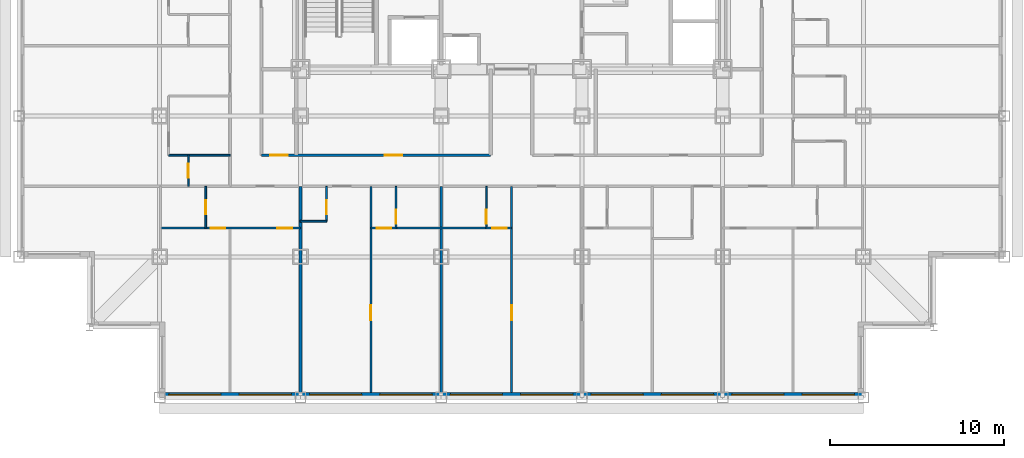
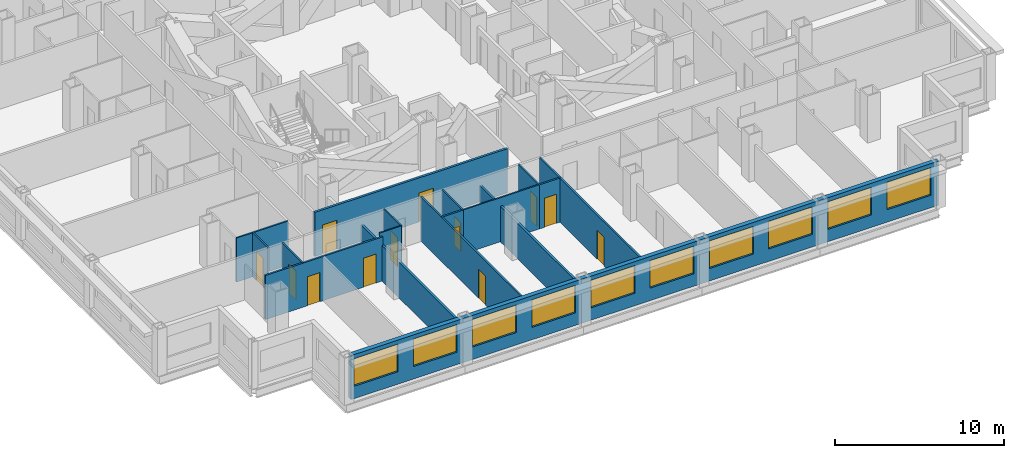
# One storey, part 4 of 13: 17 walls, 13 doors, 10 windows, 23 openings.
"""IFC4 building model written with IfcOpenShell, lengths in metres."""

from ifc_helpers import new_model, si_unit, direction, frame, frame_2d, origin, place, context, subcontext, project, spatial, rectangle, extrude, material, layer, layer_set, type_object, element, fill, save


model = new_model("IFC4")

# Units and contexts
model_context = context("Model", 3, precision=1e-05, world=origin(), true_north=direction((0.0, 1.0)))
body_context = subcontext(model_context, "Body", "Model", "MODEL_VIEW")
ifc_project = project(units=[si_unit("LENGTHUNIT", "METRE"), si_unit("AREAUNIT", "SQUARE_METRE"), si_unit("VOLUMEUNIT", "CUBIC_METRE"), si_unit("PLANEANGLEUNIT", "RADIAN"), si_unit("MASSUNIT", "GRAM", prefix="KILO")], contexts=[model_context])

# Site, building, storey
site_placement = place(None, origin())
site = spatial("IfcSite", under=ifc_project, at=site_placement, CompositionType="ELEMENT")
building_placement = place(site_placement, origin())
building = spatial("IfcBuilding", under=site, at=building_placement, Name="Kopane Lantern Tower", CompositionType="ELEMENT")
storey_placement = place(building_placement, frame((0.0, 0.0, 113.60009765625)))
storey = spatial("IfcBuildingStorey", under=building, at=storey_placement, Name="L28", CompositionType="ELEMENT", Elevation=113.60009765625)

# Wall, opening, door
ifc_material_1 = material(Name="Gypsum board on steel studs", Category="steel")
ifc_layer_1 = layer(ifc_material_1, 0.1201171875)
ifc_layer_set_1 = layer_set([ifc_layer_1], Name="APARTMENT INTERNAL WALL 120")
wall_type_1 = type_object("IfcWallType", Name="APARTMENT INTERNAL WALL 120", PredefinedType="PARTITIONING", material=ifc_layer_set_1)
wall_1_placement = place(storey_placement, frame((20.25, 17.550048828125, 0.0), z_axis=(0.0, 0.0, 1.0), x_axis=(0.0, -1.0, 0.0)))
wall_1 = element("IfcWall", 1, at=wall_1_placement, inside=storey, type_object=wall_type_1, Name="Apartment Internal Wall 120 L28", PredefinedType="PARTITIONING", context=body_context, shape_type="SweptSolid", body=[
    extrude(rectangle(XDim=11.85009765625, YDim=0.1201171875, at=frame_2d((5.925048828125, 0.0))), origin(), (0.0, 0.0, 1.0), 3.18994140625),
])
opening_1_placement = place(wall_1_placement, frame((6.85009765625, 0.0, 0.0)))
opening_1 = element("IfcOpeningElement", 2, at=opening_1_placement, cuts=wall_1, Name="Opening L28-016", PredefinedType="OPENING", context=body_context, shape_type="SweptSolid", body=[
    extrude(rectangle(XDim=0.85009765625, YDim=2.10009765625, at=frame_2d((0.425048828125, 1.050048828125))), frame((0.0, 0.070068359375, 0.0), z_axis=(0.0, -1.0, 0.0), x_axis=(1.0, 0.0, 0.0)), (0.0, 0.0, 1.0), 0.14013671875),
])
ifc_material_2 = material(Name="Timber door set", Category="wood")
door_type_1 = type_object("IfcDoorType", Name="DOOR D4 850x2100", OperationType="SINGLE_SWING_LEFT", PredefinedType="DOOR", material=ifc_material_2)
door_1_placement = place(opening_1_placement, origin())
door_1 = element("IfcDoor", 3, at=door_1_placement, inside=storey, type_object=door_type_1, Name="Door L28-016", OperationType="SINGLE_SWING_LEFT", OverallHeight=2.10009765625, OverallWidth=0.85009765625, PredefinedType="DOOR", context=body_context, shape_type="SweptSolid", body=[
    extrude(rectangle(XDim=0.85009765625, YDim=2.10009765625, at=frame_2d((0.425048828125, 1.050048828125))), frame((0.0, 0.02490234375, 0.0), z_axis=(0.0, -1.0, 0.0), x_axis=(1.0, 0.0, 0.0)), (0.0, 0.0, 1.0), 0.050048828125),
])
fill(opening_1, door_1)

wall_2_placement = place(storey_placement, frame((28.35009765625, 17.550048828125, 0.0), z_axis=(0.0, 0.0, 1.0), x_axis=(0.0, -1.0, 0.0)))
wall_2 = element("IfcWall", 4, at=wall_2_placement, inside=storey, type_object=wall_type_1, Name="Apartment Internal Wall 120 L28", PredefinedType="PARTITIONING", context=body_context, shape_type="SweptSolid", body=[
    extrude(rectangle(XDim=11.85009765625, YDim=0.1201171875, at=frame_2d((5.925048828125, 0.0))), origin(), (0.0, 0.0, 1.0), 3.18994140625),
])
opening_2_placement = place(wall_2_placement, frame((6.85009765625, 0.0, 0.0)))
opening_2 = element("IfcOpeningElement", 5, at=opening_2_placement, cuts=wall_2, Name="Opening L28-019", PredefinedType="OPENING", context=body_context, shape_type="SweptSolid", body=[
    extrude(rectangle(XDim=0.85009765625, YDim=2.10009765625, at=frame_2d((0.425048828125, 1.050048828125))), frame((0.0, 0.070068359375, 0.0), z_axis=(0.0, -1.0, 0.0), x_axis=(1.0, 0.0, 0.0)), (0.0, 0.0, 1.0), 0.14013671875),
])
door_2_placement = place(opening_2_placement, origin())
door_2 = element("IfcDoor", 6, at=door_2_placement, inside=storey, type_object=door_type_1, Name="Door L28-019", OperationType="SINGLE_SWING_RIGHT", OverallHeight=2.10009765625, OverallWidth=0.85009765625, PredefinedType="DOOR", context=body_context, shape_type="SweptSolid", body=[
    extrude(rectangle(XDim=0.85009765625, YDim=2.10009765625, at=frame_2d((0.425048828125, 1.050048828125))), frame((0.0, 0.02490234375, 0.0), z_axis=(0.0, -1.0, 0.0), x_axis=(1.0, 0.0, 0.0)), (0.0, 0.0, 1.0), 0.050048828125),
])
fill(opening_2, door_2)

# Wall, openings, doors
wall_3_placement = place(storey_placement, frame((8.14990234375, 15.14990234375, 0.0), z_axis=(0.0, 0.0, 1.0), x_axis=(1.0, 0.0, 0.0)))
wall_3 = element("IfcWall", 7, at=wall_3_placement, inside=storey, type_object=wall_type_1, Name="Apartment Internal Wall 120 L28", PredefinedType="PARTITIONING", context=body_context, shape_type="SweptSolid", body=[
    extrude(rectangle(XDim=8.050048828125, YDim=0.1201171875, at=frame_2d((4.02490234375, 0.0))), origin(), (0.0, 0.0, 1.0), 3.18994140625),
])
opening_3_placement = place(wall_3_placement, frame((6.72509765625, 0.0, 0.0)))
opening_3 = element("IfcOpeningElement", 8, at=opening_3_placement, cuts=wall_3, Name="Opening L28-060", PredefinedType="OPENING", context=body_context, shape_type="SweptSolid", body=[
    extrude(rectangle(XDim=0.85009765625, YDim=2.10009765625, at=frame_2d((0.425048828125, 1.050048828125))), frame((0.0, 0.070068359375, 0.0), z_axis=(0.0, -1.0, 0.0), x_axis=(1.0, 0.0, 0.0)), (0.0, 0.0, 1.0), 0.14013671875),
])
opening_4_placement = place(wall_3_placement, frame((2.875, 0.0, 0.0)))
opening_4 = element("IfcOpeningElement", 9, at=opening_4_placement, cuts=wall_3, Name="Opening L28-062", PredefinedType="OPENING", context=body_context, shape_type="SweptSolid", body=[
    extrude(rectangle(XDim=0.85009765625, YDim=2.10009765625, at=frame_2d((0.425048828125, 1.050048828125))), frame((0.0, 0.070068359375, 0.0), z_axis=(0.0, -1.0, 0.0), x_axis=(1.0, 0.0, 0.0)), (0.0, 0.0, 1.0), 0.14013671875),
])
door_3_placement = place(opening_3_placement, origin())
door_3 = element("IfcDoor", 10, at=door_3_placement, inside=storey, type_object=door_type_1, Name="Door L28-060", OperationType="SINGLE_SWING_RIGHT", OverallHeight=2.10009765625, OverallWidth=0.85009765625, PredefinedType="DOOR", context=body_context, shape_type="SweptSolid", body=[
    extrude(rectangle(XDim=0.85009765625, YDim=2.10009765625, at=frame_2d((0.425048828125, 1.050048828125))), frame((0.0, 0.02490234375, 0.0), z_axis=(0.0, -1.0, 0.0), x_axis=(1.0, 0.0, 0.0)), (0.0, 0.0, 1.0), 0.050048828125),
])
fill(opening_3, door_3)
door_4_placement = place(opening_4_placement, origin())
door_4 = element("IfcDoor", 11, at=door_4_placement, inside=storey, type_object=door_type_1, Name="Door L28-062", OperationType="SINGLE_SWING_LEFT", OverallHeight=2.10009765625, OverallWidth=0.85009765625, PredefinedType="DOOR", context=body_context, shape_type="SweptSolid", body=[
    extrude(rectangle(XDim=0.85009765625, YDim=2.10009765625, at=frame_2d((0.425048828125, 1.050048828125))), frame((0.0, 0.02490234375, 0.0), z_axis=(0.0, -1.0, 0.0), x_axis=(1.0, 0.0, 0.0)), (0.0, 0.0, 1.0), 0.050048828125),
])
fill(opening_4, door_4)

# Wall, opening, door
wall_4_placement = place(storey_placement, frame((21.7099609375, 15.14990234375, 0.0), z_axis=(0.0, 0.0, 1.0), x_axis=(-1.0, 0.0, 0.0)))
wall_4 = element("IfcWall", 12, at=wall_4_placement, inside=storey, type_object=wall_type_1, Name="Apartment Internal Wall 120 L28", PredefinedType="PARTITIONING", context=body_context, shape_type="SweptSolid", body=[
    extrude(rectangle(XDim=1.4599609375, YDim=0.1201171875, at=frame_2d((0.72998046875, 0.0))), origin(), (0.0, 0.0, 1.0), 3.18994140625),
])
opening_5_placement = place(wall_4_placement, frame((0.27490234375, 0.0, 0.0)))
opening_5 = element("IfcOpeningElement", 13, at=opening_5_placement, cuts=wall_4, Name="Opening L28-075", PredefinedType="OPENING", context=body_context, shape_type="SweptSolid", body=[
    extrude(rectangle(XDim=0.85009765625, YDim=2.10009765625, at=frame_2d((0.425048828125, 1.050048828125))), frame((0.0, 0.070068359375, 0.0), z_axis=(0.0, -1.0, 0.0), x_axis=(1.0, 0.0, 0.0)), (0.0, 0.0, 1.0), 0.14013671875),
])
door_5_placement = place(opening_5_placement, origin())
door_5 = element("IfcDoor", 14, at=door_5_placement, inside=storey, type_object=door_type_1, Name="Door L28-075", OperationType="SINGLE_SWING_RIGHT", OverallHeight=2.10009765625, OverallWidth=0.85009765625, PredefinedType="DOOR", context=body_context, shape_type="SweptSolid", body=[
    extrude(rectangle(XDim=0.85009765625, YDim=2.10009765625, at=frame_2d((0.425048828125, 1.050048828125))), frame((0.0, 0.02490234375, 0.0), z_axis=(0.0, -1.0, 0.0), x_axis=(1.0, 0.0, 0.0)), (0.0, 0.0, 1.0), 0.050048828125),
])
fill(opening_5, door_5)

wall_5_placement = place(storey_placement, frame((28.35009765625, 15.14990234375, 0.0), z_axis=(0.0, 0.0, 1.0), x_axis=(-1.0, 0.0, 0.0)))
wall_5 = element("IfcWall", 15, at=wall_5_placement, inside=storey, type_object=wall_type_1, Name="Apartment Internal Wall 120 L28", PredefinedType="PARTITIONING", context=body_context, shape_type="SweptSolid", body=[
    extrude(rectangle(XDim=1.460205078125, YDim=0.1201171875, at=frame_2d((0.72998046875, 0.0))), origin(), (0.0, 0.0, 1.0), 3.18994140625),
])
opening_6_placement = place(wall_5_placement, frame((0.27490234375, 0.0, 0.0)))
opening_6 = element("IfcOpeningElement", 16, at=opening_6_placement, cuts=wall_5, Name="Opening L28-076", PredefinedType="OPENING", context=body_context, shape_type="SweptSolid", body=[
    extrude(rectangle(XDim=0.85009765625, YDim=2.10009765625, at=frame_2d((0.425048828125, 1.050048828125))), frame((0.0, 0.070068359375, 0.0), z_axis=(0.0, -1.0, 0.0), x_axis=(1.0, 0.0, 0.0)), (0.0, 0.0, 1.0), 0.14013671875),
])
door_6_placement = place(opening_6_placement, origin())
door_6 = element("IfcDoor", 17, at=door_6_placement, inside=storey, type_object=door_type_1, Name="Door L28-076", OperationType="SINGLE_SWING_LEFT", OverallHeight=2.10009765625, OverallWidth=0.85009765625, PredefinedType="DOOR", context=body_context, shape_type="SweptSolid", body=[
    extrude(rectangle(XDim=0.85009765625, YDim=2.10009765625, at=frame_2d((0.425048828125, 1.050048828125))), frame((0.0, 0.02490234375, 0.0), z_axis=(0.0, -1.0, 0.0), x_axis=(1.0, 0.0, 0.0)), (0.0, 0.0, 1.0), 0.050048828125),
])
fill(opening_6, door_6)

# Wall
ifc_material_3 = material(Name="Moisture-resistant board on steel studs", Category="steel")
ifc_layer_2 = layer(ifc_material_3, 0.10009765625)
ifc_layer_set_2 = layer_set([ifc_layer_2], Name="BATHROOM WALL 100")
wall_type_2 = type_object("IfcWallType", Name="BATHROOM WALL 100", PredefinedType="PARTITIONING", material=ifc_layer_set_2)
wall_6_placement = place(storey_placement, frame((16.199951171875, 15.550048828125, 0.0), z_axis=(0.0, 0.0, 1.0), x_axis=(1.0, 0.0, 0.0)))
element("IfcWall", 18, at=wall_6_placement, inside=storey, type_object=wall_type_2, Name="Bathroom Wall 100 L28", PredefinedType="PARTITIONING", context=body_context, shape_type="SweptSolid", body=[
    extrude(rectangle(XDim=1.5, YDim=0.10009765625, at=frame_2d((0.75, 0.0))), origin(), (0.0, 0.0, 1.0), 3.18994140625),
])

# Wall, opening, door
wall_7_placement = place(storey_placement, frame((17.699951171875, 17.550048828125, 0.0), z_axis=(0.0, 0.0, 1.0), x_axis=(0.0, -1.0, 0.0)))
wall_7 = element("IfcWall", 19, at=wall_7_placement, inside=storey, type_object=wall_type_2, Name="Bathroom Wall 100 L28", PredefinedType="PARTITIONING", context=body_context, shape_type="SweptSolid", body=[
    extrude(rectangle(XDim=2.0, YDim=0.10009765625, at=frame_2d((1.0, 0.0))), origin(), (0.0, 0.0, 1.0), 3.18994140625),
])
opening_7_placement = place(wall_7_placement, frame((0.800048828125, 0.0, 0.0)))
opening_7 = element("IfcOpeningElement", 20, at=opening_7_placement, cuts=wall_7, Name="Opening L28-013", PredefinedType="OPENING", context=body_context, shape_type="SweptSolid", body=[
    extrude(rectangle(XDim=0.800048828125, YDim=2.10009765625, at=frame_2d((0.39990234375, 1.050048828125))), frame((0.0, 0.06005859375, 0.0), z_axis=(0.0, -1.0, 0.0), x_axis=(1.0, 0.0, 0.0)), (0.0, 0.0, 1.0), 0.1201171875),
])
ifc_material_4 = material(Name="Timber door set", Category="wood")
door_type_2 = type_object("IfcDoorType", Name="DOOR D2 800x2100", OperationType="SINGLE_SWING_LEFT", PredefinedType="DOOR", material=ifc_material_4)
door_7_placement = place(opening_7_placement, origin())
door_7 = element("IfcDoor", 21, at=door_7_placement, inside=storey, type_object=door_type_2, Name="Door L28-013", OperationType="SINGLE_SWING_LEFT", OverallHeight=2.10009765625, OverallWidth=0.800048828125, PredefinedType="DOOR", context=body_context, shape_type="SweptSolid", body=[
    extrude(rectangle(XDim=0.800048828125, YDim=2.10009765625, at=frame_2d((0.39990234375, 1.050048828125))), frame((0.0, 0.02490234375, 0.0), z_axis=(0.0, -1.0, 0.0), x_axis=(1.0, 0.0, 0.0)), (0.0, 0.0, 1.0), 0.050048828125),
])
fill(opening_7, door_7)

# Wall
wall_8_placement = place(storey_placement, frame((21.699951171875, 15.14990234375, 0.0), z_axis=(0.0, 0.0, 1.0), x_axis=(1.0, 0.0, 0.0)))
element("IfcWall", 22, at=wall_8_placement, inside=storey, type_object=wall_type_2, Name="Bathroom Wall 100 L28", PredefinedType="PARTITIONING", context=body_context, shape_type="SweptSolid", body=[
    extrude(rectangle(XDim=5.199951171875, YDim=0.10009765625, at=frame_2d((2.60009765625, 0.0))), origin(), (0.0, 0.0, 1.0), 3.18994140625),
])

# Wall, opening, door
wall_9_placement = place(storey_placement, frame((21.699951171875, 17.550048828125, 0.0), z_axis=(0.0, 0.0, 1.0), x_axis=(0.0, -1.0, 0.0)))
wall_9 = element("IfcWall", 23, at=wall_9_placement, inside=storey, type_object=wall_type_2, Name="Bathroom Wall 100 L28", PredefinedType="PARTITIONING", context=body_context, shape_type="SweptSolid", body=[
    extrude(rectangle(XDim=2.400146484375, YDim=0.10009765625, at=frame_2d((1.2001953125, 0.0))), origin(), (0.0, 0.0, 1.0), 3.18994140625),
])
opening_8_placement = place(wall_9_placement, frame((1.35009765625, 0.0, 0.0)))
opening_8 = element("IfcOpeningElement", 24, at=opening_8_placement, cuts=wall_9, Name="Opening L28-015", PredefinedType="OPENING", context=body_context, shape_type="SweptSolid", body=[
    extrude(rectangle(XDim=0.800048828125, YDim=2.10009765625, at=frame_2d((0.39990234375, 1.050048828125))), frame((0.0, 0.06005859375, 0.0), z_axis=(0.0, -1.0, 0.0), x_axis=(1.0, 0.0, 0.0)), (0.0, 0.0, 1.0), 0.1201171875),
])
door_8_placement = place(opening_8_placement, origin())
door_8 = element("IfcDoor", 25, at=door_8_placement, inside=storey, type_object=door_type_2, Name="Door L28-015", OperationType="SINGLE_SWING_LEFT", OverallHeight=2.10009765625, OverallWidth=0.800048828125, PredefinedType="DOOR", context=body_context, shape_type="SweptSolid", body=[
    extrude(rectangle(XDim=0.800048828125, YDim=2.10009765625, at=frame_2d((0.39990234375, 1.050048828125))), frame((0.0, 0.02490234375, 0.0), z_axis=(0.0, -1.0, 0.0), x_axis=(1.0, 0.0, 0.0)), (0.0, 0.0, 1.0), 0.050048828125),
])
fill(opening_8, door_8)

wall_10_placement = place(storey_placement, frame((26.89990234375, 17.550048828125, 0.0), z_axis=(0.0, 0.0, 1.0), x_axis=(0.0, -1.0, 0.0)))
wall_10 = element("IfcWall", 26, at=wall_10_placement, inside=storey, type_object=wall_type_2, Name="Bathroom Wall 100 L28", PredefinedType="PARTITIONING", context=body_context, shape_type="SweptSolid", body=[
    extrude(rectangle(XDim=2.400146484375, YDim=0.10009765625, at=frame_2d((1.2001953125, 0.0))), origin(), (0.0, 0.0, 1.0), 3.18994140625),
])
opening_9_placement = place(wall_10_placement, frame((1.35009765625, 0.0, 0.0)))
opening_9 = element("IfcOpeningElement", 27, at=opening_9_placement, cuts=wall_10, Name="Opening L28-018", PredefinedType="OPENING", context=body_context, shape_type="SweptSolid", body=[
    extrude(rectangle(XDim=0.800048828125, YDim=2.10009765625, at=frame_2d((0.39990234375, 1.050048828125))), frame((0.0, 0.06005859375, 0.0), z_axis=(0.0, -1.0, 0.0), x_axis=(1.0, 0.0, 0.0)), (0.0, 0.0, 1.0), 0.1201171875),
])
door_9_placement = place(opening_9_placement, origin())
door_9 = element("IfcDoor", 28, at=door_9_placement, inside=storey, type_object=door_type_2, Name="Door L28-018", OperationType="SINGLE_SWING_RIGHT", OverallHeight=2.10009765625, OverallWidth=0.800048828125, PredefinedType="DOOR", context=body_context, shape_type="SweptSolid", body=[
    extrude(rectangle(XDim=0.800048828125, YDim=2.10009765625, at=frame_2d((0.39990234375, 1.050048828125))), frame((0.0, 0.02490234375, 0.0), z_axis=(0.0, -1.0, 0.0), x_axis=(1.0, 0.0, 0.0)), (0.0, 0.0, 1.0), 0.050048828125),
])
fill(opening_9, door_9)

wall_11_placement = place(storey_placement, frame((9.75, 17.550048828125, 0.0), z_axis=(0.0, 0.0, 1.0), x_axis=(0.0, 1.0, 0.0)))
wall_11 = element("IfcWall", 29, at=wall_11_placement, inside=storey, type_object=wall_type_2, Name="Bathroom Wall 100 L28", PredefinedType="PARTITIONING", context=body_context, shape_type="SweptSolid", body=[
    extrude(rectangle(XDim=1.800048828125, YDim=0.10009765625, at=frame_2d((0.89990234375, 0.0))), origin(), (0.0, 0.0, 1.0), 3.18994140625),
])
opening_10_placement = place(wall_11_placement, frame((0.5, 0.0, 0.0)))
opening_10 = element("IfcOpeningElement", 30, at=opening_10_placement, cuts=wall_11, Name="Opening L28-036", PredefinedType="OPENING", context=body_context, shape_type="SweptSolid", body=[
    extrude(rectangle(XDim=0.800048828125, YDim=2.10009765625, at=frame_2d((0.39990234375, 1.050048828125))), frame((0.0, 0.06005859375, 0.0), z_axis=(0.0, -1.0, 0.0), x_axis=(1.0, 0.0, 0.0)), (0.0, 0.0, 1.0), 0.1201171875),
])
door_10_placement = place(opening_10_placement, origin())
door_10 = element("IfcDoor", 31, at=door_10_placement, inside=storey, type_object=door_type_2, Name="Door L28-036", OperationType="SINGLE_SWING_RIGHT", OverallHeight=2.10009765625, OverallWidth=0.800048828125, PredefinedType="DOOR", context=body_context, shape_type="SweptSolid", body=[
    extrude(rectangle(XDim=0.800048828125, YDim=2.10009765625, at=frame_2d((0.39990234375, 1.050048828125))), frame((0.0, 0.02490234375, 0.0), z_axis=(0.0, -1.0, 0.0), x_axis=(1.0, 0.0, 0.0)), (0.0, 0.0, 1.0), 0.050048828125),
])
fill(opening_10, door_10)

# Wall
wall_12_placement = place(storey_placement, frame((12.14990234375, 19.35009765625, 0.0), z_axis=(0.0, 0.0, 1.0), x_axis=(-1.0, 0.0, 0.0)))
element("IfcWall", 32, at=wall_12_placement, inside=storey, type_object=wall_type_2, Name="Bathroom Wall 100 L28", PredefinedType="PARTITIONING", context=body_context, shape_type="SweptSolid", body=[
    extrude(rectangle(XDim=3.539794921875, YDim=0.10009765625, at=frame_2d((1.77001953125, 0.0))), origin(), (0.0, 0.0, 1.0), 3.18994140625),
])

# Wall, opening, door
wall_13_placement = place(storey_placement, frame((10.75, 17.550048828125, 0.0), z_axis=(0.0, 0.0, 1.0), x_axis=(0.0, -1.0, 0.0)))
wall_13 = element("IfcWall", 33, at=wall_13_placement, inside=storey, type_object=wall_type_2, Name="Bathroom Wall 100 L28", PredefinedType="PARTITIONING", context=body_context, shape_type="SweptSolid", body=[
    extrude(rectangle(XDim=2.400146484375, YDim=0.10009765625, at=frame_2d((1.2001953125, 0.0))), origin(), (0.0, 0.0, 1.0), 3.18994140625),
])
opening_11_placement = place(wall_13_placement, frame((0.800048828125, 0.0, 0.0)))
opening_11 = element("IfcOpeningElement", 34, at=opening_11_placement, cuts=wall_13, Name="Opening L28-061", PredefinedType="OPENING", context=body_context, shape_type="SweptSolid", body=[
    extrude(rectangle(XDim=0.800048828125, YDim=2.10009765625, at=frame_2d((0.39990234375, 1.050048828125))), frame((0.0, 0.06005859375, 0.0), z_axis=(0.0, -1.0, 0.0), x_axis=(1.0, 0.0, 0.0)), (0.0, 0.0, 1.0), 0.1201171875),
])
door_11_placement = place(opening_11_placement, origin())
door_11 = element("IfcDoor", 35, at=door_11_placement, inside=storey, type_object=door_type_2, Name="Door L28-061", OperationType="SINGLE_SWING_RIGHT", OverallHeight=2.10009765625, OverallWidth=0.800048828125, PredefinedType="DOOR", context=body_context, shape_type="SweptSolid", body=[
    extrude(rectangle(XDim=0.800048828125, YDim=2.10009765625, at=frame_2d((0.39990234375, 1.050048828125))), frame((0.0, 0.02490234375, 0.0), z_axis=(0.0, -1.0, 0.0), x_axis=(1.0, 0.0, 0.0)), (0.0, 0.0, 1.0), 0.050048828125),
])
fill(opening_11, door_11)

# Wall, openings, doors
ifc_material_5 = material(Name="Gypsum board on steel studs", Category="steel")
ifc_layer_3 = layer(ifc_material_5, 0.14990234375)
ifc_layer_set_3 = layer_set([ifc_layer_3], Name="CORRIDOR WALL 150 EI 60")
wall_type_3 = type_object("IfcWallType", Name="CORRIDOR WALL 150 EI 60", PredefinedType="PARTITIONING", material=ifc_layer_set_3)
wall_14_placement = place(storey_placement, frame((13.949951171875, 19.35009765625, 0.0), z_axis=(0.0, 0.0, 1.0), x_axis=(1.0, 0.0, 0.0)))
wall_14 = element("IfcWall", 36, at=wall_14_placement, inside=storey, type_object=wall_type_3, Name="Corridor Wall 150 Ei 60 L28", PredefinedType="PARTITIONING", context=body_context, shape_type="SweptSolid", body=[
    extrude(rectangle(XDim=13.18994140625, YDim=0.14990234375, at=frame_2d((6.594970703125, 0.0))), origin(), (0.0, 0.0, 1.0), 3.18994140625),
])
opening_12_placement = place(wall_14_placement, frame((0.510009765625, 0.0, 0.0)))
opening_12 = element("IfcOpeningElement", 37, at=opening_12_placement, cuts=wall_14, Name="Opening L28-005", PredefinedType="OPENING", context=body_context, shape_type="SweptSolid", body=[
    extrude(rectangle(XDim=1.0, YDim=2.10009765625, at=frame_2d((0.5, 1.050048828125))), frame((0.0, 0.0849609375, 0.0), z_axis=(0.0, -1.0, 0.0), x_axis=(1.0, 0.0, 0.0)), (0.0, 0.0, 1.0), 0.169921875),
])
opening_13_placement = place(wall_14_placement, frame((7.110107421875, 0.0, 0.0)))
opening_13 = element("IfcOpeningElement", 38, at=opening_13_placement, cuts=wall_14, Name="Opening L28-006", PredefinedType="OPENING", context=body_context, shape_type="SweptSolid", body=[
    extrude(rectangle(XDim=1.0, YDim=2.10009765625, at=frame_2d((0.5, 1.050048828125))), frame((0.0, 0.0849609375, 0.0), z_axis=(0.0, -1.0, 0.0), x_axis=(1.0, 0.0, 0.0)), (0.0, 0.0, 1.0), 0.169921875),
])
ifc_material_6 = material(Name="Steel door set", Category="steel")
door_type_3 = type_object("IfcDoorType", Name="DOOR D5 1000x2100 FD60", OperationType="SINGLE_SWING_LEFT", PredefinedType="DOOR", material=ifc_material_6)
door_12_placement = place(opening_12_placement, origin())
door_12 = element("IfcDoor", 39, at=door_12_placement, inside=storey, type_object=door_type_3, Name="Door L28-005", OperationType="SINGLE_SWING_LEFT", OverallHeight=2.10009765625, OverallWidth=1.0, PredefinedType="DOOR", context=body_context, shape_type="SweptSolid", body=[
    extrude(rectangle(XDim=1.0, YDim=2.10009765625, at=frame_2d((0.5, 1.050048828125))), frame((0.0, 0.02490234375, 0.0), z_axis=(0.0, -1.0, 0.0), x_axis=(1.0, 0.0, 0.0)), (0.0, 0.0, 1.0), 0.050048828125),
])
fill(opening_12, door_12)
door_13_placement = place(opening_13_placement, origin())
door_13 = element("IfcDoor", 40, at=door_13_placement, inside=storey, type_object=door_type_3, Name="Door L28-006", OperationType="SINGLE_SWING_RIGHT", OverallHeight=2.10009765625, OverallWidth=1.0, PredefinedType="DOOR", context=body_context, shape_type="SweptSolid", body=[
    extrude(rectangle(XDim=1.0, YDim=2.10009765625, at=frame_2d((0.5, 1.050048828125))), frame((0.0, 0.02490234375, 0.0), z_axis=(0.0, -1.0, 0.0), x_axis=(1.0, 0.0, 0.0)), (0.0, 0.0, 1.0), 0.050048828125),
])
fill(opening_13, door_13)

# Walls
ifc_material_7 = material(Name="Gypsum board on steel studs", Category="steel")
ifc_layer_4 = layer(ifc_material_7, 0.14990234375)
ifc_layer_set_4 = layer_set([ifc_layer_4], Name="DEMISING WALL 150 EI 60")
wall_type_4 = type_object("IfcWallType", Name="DEMISING WALL 150 EI 60", PredefinedType="PARTITIONING", material=ifc_layer_set_4)
for number, where, z_axis, x_axis, name in (
    (41, (24.300048828125, 17.550048828125, 0.0), (0.0, 0.0, 1.0), (0.0, -1.0, 0.0), "Demising Wall 150 Ei 60 L28"),
    (42, (16.199951171875, 17.550048828125, 0.0), (0.0, 0.0, 1.0), (0.0, -1.0, 0.0), "Demising Wall 150 Ei 60 L28"),
):
    element("IfcWall", number, at=place(storey_placement, frame(where, z_axis=z_axis, x_axis=x_axis)), inside=storey, type_object=wall_type_4, Name=name, PredefinedType="PARTITIONING", context=body_context, shape_type="SweptSolid", body=[
        extrude(rectangle(XDim=11.85009765625, YDim=0.14990234375, at=frame_2d((5.925048828125, 0.0))), origin(), (0.0, 0.0, 1.0), 2.57763671875),
    ])

# Wall, openings, windows
ifc_material_8 = material(Name="Terracotta rainscreen on light steel framing", Category="masonry")
ifc_layer_5 = layer(ifc_material_8, 0.300048828125)
ifc_layer_set_5 = layer_set([ifc_layer_5], Name="EXTERNAL WALL EW1 300 TERRACOTTA")
wall_type_5 = type_object("IfcWallType", Name="EXTERNAL WALL EW1 300 TERRACOTTA", PredefinedType="SOLIDWALL", material=ifc_layer_set_5)
wall_15_placement = place(storey_placement, frame((8.39990234375, 5.550048828125, 0.0), z_axis=(0.0, 0.0, 1.0), x_axis=(1.0, 0.0, 0.0)))
wall_15 = element("IfcWall", 43, at=wall_15_placement, inside=storey, type_object=wall_type_5, Name="External wall S L28", PredefinedType="SOLIDWALL", context=body_context, shape_type="SweptSolid", body=[
    extrude(rectangle(XDim=40.2001953125, YDim=0.300048828125, at=frame_2d((20.10009765625, 0.0))), origin(), (0.0, 0.0, 1.0), 3.18994140625),
])
opening_14_placement = place(wall_15_placement, frame((0.22509765625, 0.0, 0.89990234375)))
opening_14 = element("IfcOpeningElement", 44, at=opening_14_placement, cuts=wall_15, Name="Opening WR300200", PredefinedType="OPENING", context=body_context, shape_type="SweptSolid", body=[
    extrude(rectangle(XDim=3.0, YDim=2.0, at=frame_2d((1.5, 1.0))), frame((0.0, 0.159912109375, 0.0), z_axis=(0.0, -1.0, 0.0), x_axis=(1.0, 0.0, 0.0)), (0.0, 0.0, 1.0), 0.320068359375),
])
opening_15_placement = place(wall_15_placement, frame((4.27490234375, 0.0, 0.89990234375)))
opening_15 = element("IfcOpeningElement", 45, at=opening_15_placement, cuts=wall_15, Name="Opening WR300200", PredefinedType="OPENING", context=body_context, shape_type="SweptSolid", body=[
    extrude(rectangle(XDim=3.0, YDim=2.0, at=frame_2d((1.5, 1.0))), frame((0.0, 0.159912109375, 0.0), z_axis=(0.0, -1.0, 0.0), x_axis=(1.0, 0.0, 0.0)), (0.0, 0.0, 1.0), 0.320068359375),
])
opening_16_placement = place(wall_15_placement, frame((8.324951171875, 0.0, 0.89990234375)))
opening_16 = element("IfcOpeningElement", 46, at=opening_16_placement, cuts=wall_15, Name="Opening WR300200", PredefinedType="OPENING", context=body_context, shape_type="SweptSolid", body=[
    extrude(rectangle(XDim=3.0, YDim=2.0, at=frame_2d((1.5, 1.0))), frame((0.0, 0.159912109375, 0.0), z_axis=(0.0, -1.0, 0.0), x_axis=(1.0, 0.0, 0.0)), (0.0, 0.0, 1.0), 0.320068359375),
])
opening_17_placement = place(wall_15_placement, frame((12.375, 0.0, 0.89990234375)))
opening_17 = element("IfcOpeningElement", 47, at=opening_17_placement, cuts=wall_15, Name="Opening WR300200", PredefinedType="OPENING", context=body_context, shape_type="SweptSolid", body=[
    extrude(rectangle(XDim=3.0, YDim=2.0, at=frame_2d((1.5, 1.0))), frame((0.0, 0.159912109375, 0.0), z_axis=(0.0, -1.0, 0.0), x_axis=(1.0, 0.0, 0.0)), (0.0, 0.0, 1.0), 0.320068359375),
])
opening_18_placement = place(wall_15_placement, frame((16.425048828125, 0.0, 0.89990234375)))
opening_18 = element("IfcOpeningElement", 48, at=opening_18_placement, cuts=wall_15, Name="Opening WR300200", PredefinedType="OPENING", context=body_context, shape_type="SweptSolid", body=[
    extrude(rectangle(XDim=3.0, YDim=2.0, at=frame_2d((1.5, 1.0))), frame((0.0, 0.159912109375, 0.0), z_axis=(0.0, -1.0, 0.0), x_axis=(1.0, 0.0, 0.0)), (0.0, 0.0, 1.0), 0.320068359375),
])
opening_19_placement = place(wall_15_placement, frame((20.47509765625, 0.0, 0.89990234375)))
opening_19 = element("IfcOpeningElement", 49, at=opening_19_placement, cuts=wall_15, Name="Opening WR300200", PredefinedType="OPENING", context=body_context, shape_type="SweptSolid", body=[
    extrude(rectangle(XDim=3.0, YDim=2.0, at=frame_2d((1.5, 1.0))), frame((0.0, 0.159912109375, 0.0), z_axis=(0.0, -1.0, 0.0), x_axis=(1.0, 0.0, 0.0)), (0.0, 0.0, 1.0), 0.320068359375),
])
opening_20_placement = place(wall_15_placement, frame((24.52490234375, 0.0, 0.89990234375)))
opening_20 = element("IfcOpeningElement", 50, at=opening_20_placement, cuts=wall_15, Name="Opening WR300200", PredefinedType="OPENING", context=body_context, shape_type="SweptSolid", body=[
    extrude(rectangle(XDim=3.0, YDim=2.0, at=frame_2d((1.5, 1.0))), frame((0.0, 0.159912109375, 0.0), z_axis=(0.0, -1.0, 0.0), x_axis=(1.0, 0.0, 0.0)), (0.0, 0.0, 1.0), 0.320068359375),
])
opening_21_placement = place(wall_15_placement, frame((28.574951171875, 0.0, 0.89990234375)))
opening_21 = element("IfcOpeningElement", 51, at=opening_21_placement, cuts=wall_15, Name="Opening WR300200", PredefinedType="OPENING", context=body_context, shape_type="SweptSolid", body=[
    extrude(rectangle(XDim=3.0, YDim=2.0, at=frame_2d((1.5, 1.0))), frame((0.0, 0.159912109375, 0.0), z_axis=(0.0, -1.0, 0.0), x_axis=(1.0, 0.0, 0.0)), (0.0, 0.0, 1.0), 0.320068359375),
])
opening_22_placement = place(wall_15_placement, frame((32.625, 0.0, 0.89990234375)))
opening_22 = element("IfcOpeningElement", 52, at=opening_22_placement, cuts=wall_15, Name="Opening WR300200", PredefinedType="OPENING", context=body_context, shape_type="SweptSolid", body=[
    extrude(rectangle(XDim=3.0, YDim=2.0, at=frame_2d((1.5, 1.0))), frame((0.0, 0.159912109375, 0.0), z_axis=(0.0, -1.0, 0.0), x_axis=(1.0, 0.0, 0.0)), (0.0, 0.0, 1.0), 0.320068359375),
])
opening_23_placement = place(wall_15_placement, frame((36.675048828125, 0.0, 0.89990234375)))
opening_23 = element("IfcOpeningElement", 53, at=opening_23_placement, cuts=wall_15, Name="Opening WR300200", PredefinedType="OPENING", context=body_context, shape_type="SweptSolid", body=[
    extrude(rectangle(XDim=3.0, YDim=2.0, at=frame_2d((1.5, 1.0))), frame((0.0, 0.159912109375, 0.0), z_axis=(0.0, -1.0, 0.0), x_axis=(1.0, 0.0, 0.0)), (0.0, 0.0, 1.0), 0.320068359375),
])
ifc_material_9 = material(Name="Aluminium and clear glass", Category="aluminium")
window_type = type_object("IfcWindowType", Name="RIBBON WINDOW WR300200 3000x2000", PartitioningType="SINGLE_PANEL", PredefinedType="WINDOW", material=ifc_material_9)
window_1_placement = place(opening_14_placement, origin())
window_1 = element("IfcWindow", 54, at=window_1_placement, inside=storey, type_object=window_type, Name="Window S L28", OverallHeight=2.0, OverallWidth=3.0, PartitioningType="SINGLE_PANEL", PredefinedType="WINDOW", context=body_context, shape_type="SweptSolid", body=[
    extrude(rectangle(XDim=3.0, YDim=2.0, at=frame_2d((1.5, 1.0))), frame((0.0, 0.030029296875, 0.0), z_axis=(0.0, -1.0, 0.0), x_axis=(1.0, 0.0, 0.0)), (0.0, 0.0, 1.0), 0.06005859375),
])
fill(opening_14, window_1)
window_2_placement = place(opening_15_placement, origin())
window_2 = element("IfcWindow", 55, at=window_2_placement, inside=storey, type_object=window_type, Name="Window S L28", OverallHeight=2.0, OverallWidth=3.0, PartitioningType="SINGLE_PANEL", PredefinedType="WINDOW", context=body_context, shape_type="SweptSolid", body=[
    extrude(rectangle(XDim=3.0, YDim=2.0, at=frame_2d((1.5, 1.0))), frame((0.0, 0.030029296875, 0.0), z_axis=(0.0, -1.0, 0.0), x_axis=(1.0, 0.0, 0.0)), (0.0, 0.0, 1.0), 0.06005859375),
])
fill(opening_15, window_2)
window_3_placement = place(opening_16_placement, origin())
window_3 = element("IfcWindow", 56, at=window_3_placement, inside=storey, type_object=window_type, Name="Window S L28", OverallHeight=2.0, OverallWidth=3.0, PartitioningType="SINGLE_PANEL", PredefinedType="WINDOW", context=body_context, shape_type="SweptSolid", body=[
    extrude(rectangle(XDim=3.0, YDim=2.0, at=frame_2d((1.5, 1.0))), frame((0.0, 0.030029296875, 0.0), z_axis=(0.0, -1.0, 0.0), x_axis=(1.0, 0.0, 0.0)), (0.0, 0.0, 1.0), 0.06005859375),
])
fill(opening_16, window_3)
window_4_placement = place(opening_17_placement, origin())
window_4 = element("IfcWindow", 57, at=window_4_placement, inside=storey, type_object=window_type, Name="Window S L28", OverallHeight=2.0, OverallWidth=3.0, PartitioningType="SINGLE_PANEL", PredefinedType="WINDOW", context=body_context, shape_type="SweptSolid", body=[
    extrude(rectangle(XDim=3.0, YDim=2.0, at=frame_2d((1.5, 1.0))), frame((0.0, 0.030029296875, 0.0), z_axis=(0.0, -1.0, 0.0), x_axis=(1.0, 0.0, 0.0)), (0.0, 0.0, 1.0), 0.06005859375),
])
fill(opening_17, window_4)
window_5_placement = place(opening_18_placement, origin())
window_5 = element("IfcWindow", 58, at=window_5_placement, inside=storey, type_object=window_type, Name="Window S L28", OverallHeight=2.0, OverallWidth=3.0, PartitioningType="SINGLE_PANEL", PredefinedType="WINDOW", context=body_context, shape_type="SweptSolid", body=[
    extrude(rectangle(XDim=3.0, YDim=2.0, at=frame_2d((1.5, 1.0))), frame((0.0, 0.030029296875, 0.0), z_axis=(0.0, -1.0, 0.0), x_axis=(1.0, 0.0, 0.0)), (0.0, 0.0, 1.0), 0.06005859375),
])
fill(opening_18, window_5)
window_6_placement = place(opening_19_placement, origin())
window_6 = element("IfcWindow", 59, at=window_6_placement, inside=storey, type_object=window_type, Name="Window S L28", OverallHeight=2.0, OverallWidth=3.0, PartitioningType="SINGLE_PANEL", PredefinedType="WINDOW", context=body_context, shape_type="SweptSolid", body=[
    extrude(rectangle(XDim=3.0, YDim=2.0, at=frame_2d((1.5, 1.0))), frame((0.0, 0.030029296875, 0.0), z_axis=(0.0, -1.0, 0.0), x_axis=(1.0, 0.0, 0.0)), (0.0, 0.0, 1.0), 0.06005859375),
])
fill(opening_19, window_6)
window_7_placement = place(opening_20_placement, origin())
window_7 = element("IfcWindow", 60, at=window_7_placement, inside=storey, type_object=window_type, Name="Window S L28", OverallHeight=2.0, OverallWidth=3.0, PartitioningType="SINGLE_PANEL", PredefinedType="WINDOW", context=body_context, shape_type="SweptSolid", body=[
    extrude(rectangle(XDim=3.0, YDim=2.0, at=frame_2d((1.5, 1.0))), frame((0.0, 0.030029296875, 0.0), z_axis=(0.0, -1.0, 0.0), x_axis=(1.0, 0.0, 0.0)), (0.0, 0.0, 1.0), 0.06005859375),
])
fill(opening_20, window_7)
window_8_placement = place(opening_21_placement, origin())
window_8 = element("IfcWindow", 61, at=window_8_placement, inside=storey, type_object=window_type, Name="Window S L28", OverallHeight=2.0, OverallWidth=3.0, PartitioningType="SINGLE_PANEL", PredefinedType="WINDOW", context=body_context, shape_type="SweptSolid", body=[
    extrude(rectangle(XDim=3.0, YDim=2.0, at=frame_2d((1.5, 1.0))), frame((0.0, 0.030029296875, 0.0), z_axis=(0.0, -1.0, 0.0), x_axis=(1.0, 0.0, 0.0)), (0.0, 0.0, 1.0), 0.06005859375),
])
fill(opening_21, window_8)
window_9_placement = place(opening_22_placement, origin())
window_9 = element("IfcWindow", 62, at=window_9_placement, inside=storey, type_object=window_type, Name="Window S L28", OverallHeight=2.0, OverallWidth=3.0, PartitioningType="SINGLE_PANEL", PredefinedType="WINDOW", context=body_context, shape_type="SweptSolid", body=[
    extrude(rectangle(XDim=3.0, YDim=2.0, at=frame_2d((1.5, 1.0))), frame((0.0, 0.030029296875, 0.0), z_axis=(0.0, -1.0, 0.0), x_axis=(1.0, 0.0, 0.0)), (0.0, 0.0, 1.0), 0.06005859375),
])
fill(opening_22, window_9)
window_10_placement = place(opening_23_placement, origin())
window_10 = element("IfcWindow", 63, at=window_10_placement, inside=storey, type_object=window_type, Name="Window S L28", OverallHeight=2.0, OverallWidth=3.0, PartitioningType="SINGLE_PANEL", PredefinedType="WINDOW", context=body_context, shape_type="SweptSolid", body=[
    extrude(rectangle(XDim=3.0, YDim=2.0, at=frame_2d((1.5, 1.0))), frame((0.0, 0.030029296875, 0.0), z_axis=(0.0, -1.0, 0.0), x_axis=(1.0, 0.0, 0.0)), (0.0, 0.0, 1.0), 0.06005859375),
])
fill(opening_23, window_10)

save(model, "model.ifc")
